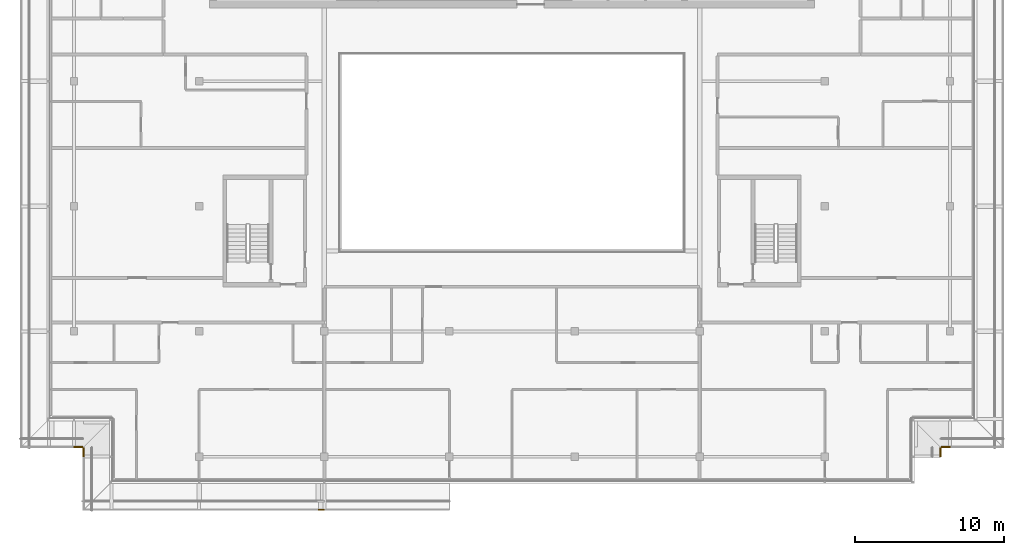
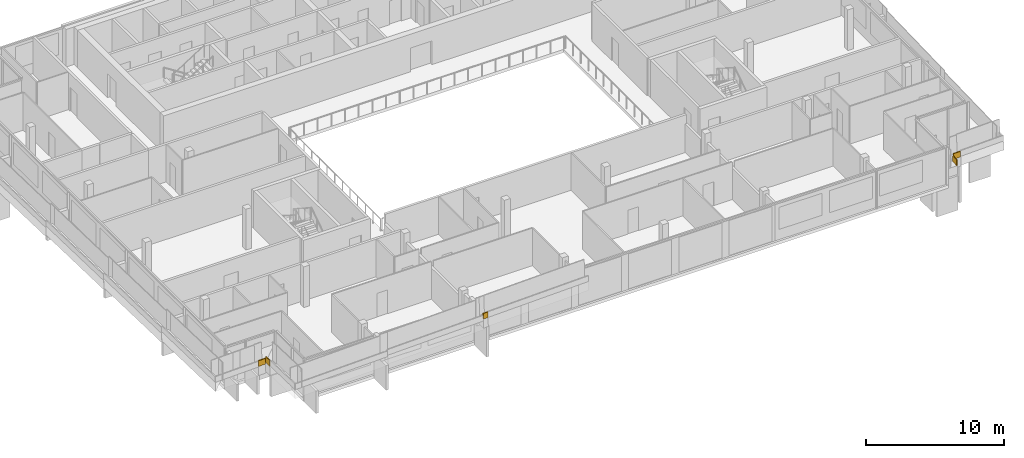
# One storey, part 26 of 27: 5 coverings.
"""IFC4 building model written with IfcOpenShell, lengths in metres."""

from ifc_helpers import new_model, si_unit, direction, frame, origin, place, context, subcontext, project, spatial, polyline, outline, extrude, material, layer, layer_set, type_object, element, save


model = new_model("IFC4")

# Units and contexts
model_context = context("Model", 3, precision=1e-05, world=origin(), true_north=direction((0.0, 1.0)))
body_context = subcontext(model_context, "Body", "Model", "MODEL_VIEW")
ifc_project = project(units=[si_unit("LENGTHUNIT", "METRE"), si_unit("AREAUNIT", "SQUARE_METRE"), si_unit("VOLUMEUNIT", "CUBIC_METRE"), si_unit("PLANEANGLEUNIT", "RADIAN"), si_unit("MASSUNIT", "GRAM", prefix="KILO")], contexts=[model_context])

# Site, building, storey
site_placement = place(None, origin())
site = spatial("IfcSite", under=ifc_project, at=site_placement, CompositionType="ELEMENT")
building_placement = place(site_placement, origin())
building = spatial("IfcBuilding", under=site, at=building_placement, Name="Saffron Gate Tower", CompositionType="ELEMENT")
storey_placement = place(building_placement, frame((0.0, 0.0, 274.35009765625)))
storey = spatial("IfcBuildingStorey", under=building, at=storey_placement, Name="L66", CompositionType="ELEMENT", Elevation=274.35009765625)

# Coverings
ifc_material = material(Name="Timber, thermally modified ash", Category="wood")
ifc_layer = layer(ifc_material, 0.080078125)
ifc_layer_set = layer_set([ifc_layer], Name="LD2 ledge planter trough")
covering_type = type_object("IfcCoveringType", Name="LD2 ledge planter trough", PredefinedType="CLADDING", material=ifc_layer_set)
covering_1_placement = place(storey_placement, frame((116.39990234375, 31.800048828125, 0.00146484375), z_axis=(1.0, 0.0, 0.0), x_axis=(0.0, 0.999582742162, 0.028884971385)))
element("IfcCovering", 1, at=covering_1_placement, inside=storey, type_object=covering_type, Name="LEDGE planter trough", PredefinedType="CLADDING", context=body_context, shape_type="SweptSolid", body=[
    extrude(outline(polyline([(0.0, 0.0), (0.6001039136866089, 0.0), (0.614546399379222, 0.4997913710809928), (0.014442485692613144, 0.49979137108099286), (0.0, 0.0)])), origin(), (0.0, 0.0, -1.0), 0.080078125),
])
covering_2_placement = place(storey_placement, frame((116.39990234375, 32.39990234375, 0.169677734375), z_axis=(0.0, -1.0, 0.0), x_axis=(0.999583081391, 0.0, 0.028873229772)))
element("IfcCovering", 2, at=covering_2_placement, inside=storey, type_object=covering_type, Name="LEDGE planter trough", PredefinedType="CLADDING", context=body_context, shape_type="SweptSolid", body=[
    extrude(outline(polyline([(0.0, 0.0), (0.6003479524834376, -3.469446951953614e-18), (0.6147845673692678, 0.4997915406953566), (0.014436614885830073, 0.4997915406953566), (0.0, 0.0)])), origin(), (0.0, 0.0, -1.0), 0.080078125),
])
covering_3_placement = place(storey_placement, frame((58.199951171875, 32.39990234375, 2.20947265625), z_axis=(0.0, -1.0, 0.0), x_axis=(0.999594735783, 0.0, 0.028466896463)))
element("IfcCovering", 3, at=covering_3_placement, inside=storey, type_object=covering_type, Name="LEDGE planter trough", PredefinedType="CLADDING", context=body_context, shape_type="SweptSolid", body=[
    extrude(outline(polyline([(0.0, 0.0), (0.6003409529560203, 0.0), (0.6145744011872722, 0.499797367891677), (0.014233448231251987, 0.49979736789167695), (0.0, 0.0)])), origin(), (0.0, 0.0, -1.0), 0.080078125),
])
covering_4_placement = place(storey_placement, frame((58.800048828125, 32.39990234375, 2.37744140625), z_axis=(-1.0, 0.0, 0.0), x_axis=(0.0, -0.999582742162, 0.028884971385)))
element("IfcCovering", 4, at=covering_4_placement, inside=storey, type_object=covering_type, Name="LEDGE planter trough", PredefinedType="CLADDING", context=body_context, shape_type="SweptSolid", body=[
    extrude(outline(polyline([(0.0, 0.0), (0.6001039136866089, 0.0), (0.614546399379222, 0.4997913710809928), (0.014442485692613144, 0.49979137108099286), (0.0, 0.0)])), origin(), (0.0, 0.0, -1.0), 0.080078125),
])
covering_5_placement = place(storey_placement, frame((74.60009765625, 28.199951171875, 3.206787109375), z_axis=(0.0, -1.0, 0.0), x_axis=(0.999588594726, 0.0, 0.028681724025)))
element("IfcCovering", 5, at=covering_5_placement, inside=storey, type_object=covering_type, Name="LEDGE planter trough", PredefinedType="CLADDING", context=body_context, shape_type="SweptSolid", body=[
    extrude(outline(polyline([(0.0, 0.0), (0.40006693339621563, 0.0), (0.4144077954084678, 0.4997942973631708), (0.014340862012252152, 0.49979429736317077), (0.0, 0.0)])), origin(), (0.0, 0.0, -1.0), 0.080078125),
])

save(model, "model.ifc")
